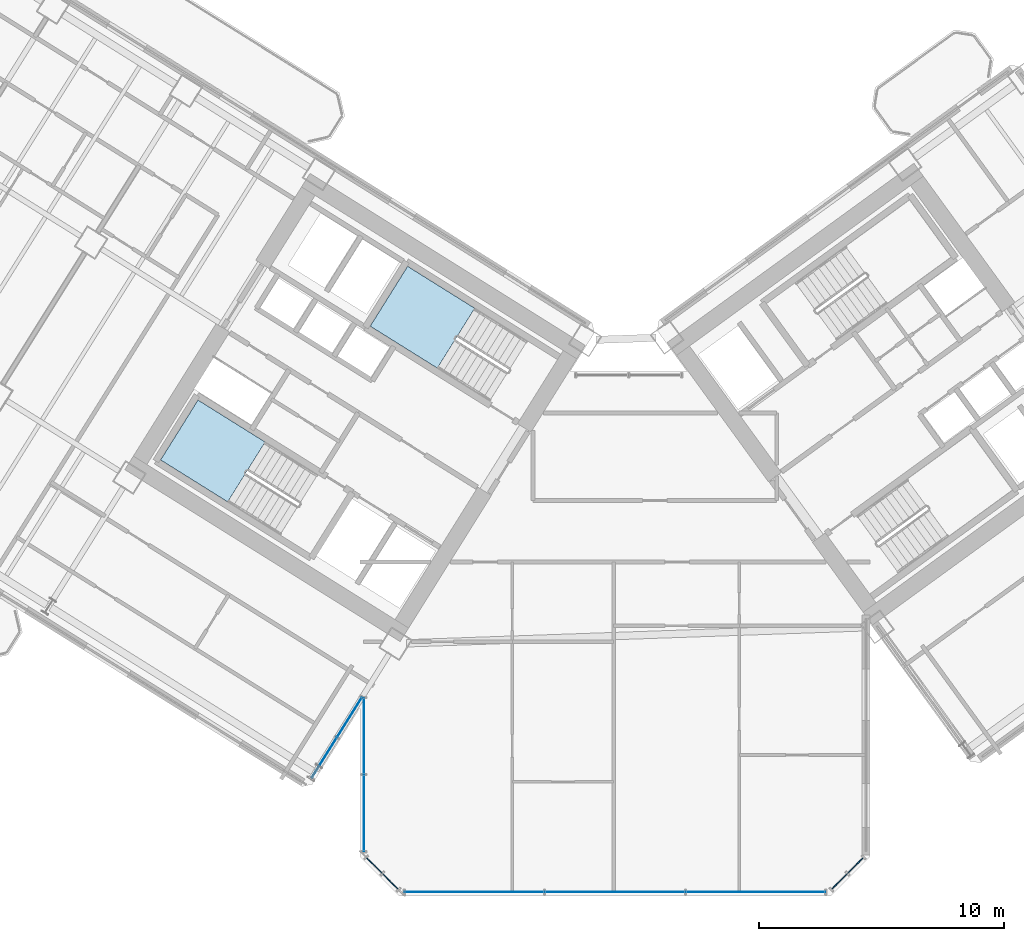
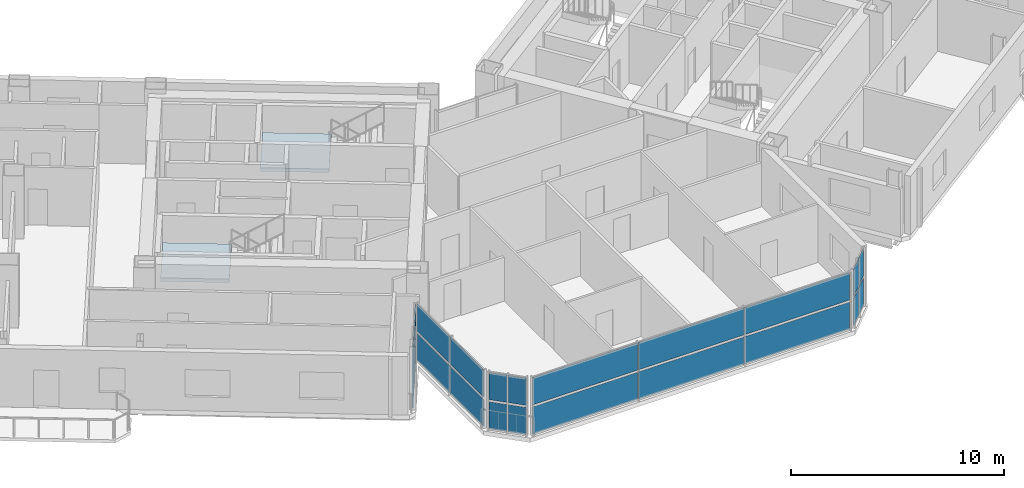
# One storey, part 13 of 28: 22 plates, 2 slabs, 7 elements without a shape of their own.
"""IFC4 building model written with IfcOpenShell, lengths in metres."""

from ifc_helpers import new_model, si_unit, direction, frame, origin, origin_2d, place, context, subcontext, project, spatial, polyline, rectangle, outline, extrude, source, transform, mapped, material, layer, layer_set, type_object, element, aggregate, save


model = new_model("IFC4")

# Units and contexts
model_context = context("Model", 3, precision=1e-05, world=origin(), true_north=direction((0.0, 1.0)))
body_context = subcontext(model_context, "Body", "Model", "MODEL_VIEW")
ifc_project = project(units=[si_unit("LENGTHUNIT", "METRE"), si_unit("AREAUNIT", "SQUARE_METRE"), si_unit("VOLUMEUNIT", "CUBIC_METRE"), si_unit("PLANEANGLEUNIT", "RADIAN"), si_unit("MASSUNIT", "GRAM", prefix="KILO")], contexts=[model_context])

# Site, building, storey
site_placement = place(None, origin())
site = spatial("IfcSite", under=ifc_project, at=site_placement, CompositionType="ELEMENT")
building_placement = place(site_placement, origin())
building = spatial("IfcBuilding", under=site, at=building_placement, Name="Tlacorven Tower", CompositionType="ELEMENT")
storey_placement = place(building_placement, frame((0.0, 0.0, 42.0)))
storey = spatial("IfcBuildingStorey", under=building, at=storey_placement, Name="L10", CompositionType="ELEMENT", Elevation=42.0)

# Stair, slab
ifc_material_1 = material(Name="Concrete C40/50", Category="concrete")
stair_type = type_object("IfcStairType", Name="ST-CORE-DLG", PredefinedType="HALF_TURN_STAIR", material=ifc_material_1)
stair_1_placement = place(storey_placement, origin())
stair_1 = element("IfcStair", 1, at=stair_1_placement, inside=storey, type_object=stair_type, Name="L10 Protected Exit Stair West 1", PredefinedType="HALF_TURN_STAIR")
ifc_layer_1 = layer(ifc_material_1, 0.199951171875)
ifc_layer_set_1 = layer_set([ifc_layer_1], Name="Concrete C40/50")
slab_type = type_object("IfcSlabType", Name="SL-LND-200", PredefinedType="LANDING", material=ifc_layer_set_1)
slab_1_placement = place(storey_placement, frame((0.0, 0.0, 1.60009765625)))
slab_1 = element("IfcSlab", 2, at=slab_1_placement, type_object=slab_type, Name="ST-W1 landing 1", PredefinedType="LANDING", context=body_context, shape_type="SweptSolid", body=[
    extrude(outline(polyline([(27.728515625, 20.315185546875), (24.9892578125, 22.02685546875), (23.463134765625, 19.58447265625), (26.2021484375, 17.872802734375), (27.728515625, 20.315185546875)])), origin(), (0.0, 0.0, 1.0), 0.199951171875),
])
aggregate(stair_1, [slab_1])

stair_2_placement = place(storey_placement, origin())
stair_2 = element("IfcStair", 3, at=stair_2_placement, inside=storey, type_object=stair_type, Name="L10 Protected Exit Stair West 2", PredefinedType="HALF_TURN_STAIR")
slab_2_placement = place(storey_placement, frame((0.0, 0.0, 1.60009765625)))
slab_2 = element("IfcSlab", 4, at=slab_2_placement, type_object=slab_type, Name="ST-W2 landing 1", PredefinedType="LANDING", context=body_context, shape_type="SweptSolid", body=[
    extrude(outline(polyline([(36.280029296875, 25.772705078125), (33.540771484375, 27.484375), (32.0146484375, 25.0419921875), (34.75390625, 23.33056640625), (36.280029296875, 25.772705078125)])), origin(), (0.0, 0.0, 1.0), 0.199951171875),
])
aggregate(stair_2, [slab_2])

# Curtain wall, plates
ifc_material_2 = material(Name="Dark solar low-E double glazing in aluminium frame", Category="aluminium")
curtain_wall_type = type_object("IfcCurtainWallType", Name="CW-TWR-LOW", PredefinedType="USERDEFINED", material=ifc_material_2)
curtain_wall_1_placement = place(storey_placement, origin())
curtain_wall_1 = element("IfcCurtainWall", 5, at=curtain_wall_1_placement, inside=storey, type_object=curtain_wall_type, Name="L10 CW-TWR-LOW Curtain Wall 51", ObjectType="UNITISED CURTAIN WALL", PredefinedType="USERDEFINED")
ifc_material_3 = material(Name="Dark solar double low-E glazing", Category="glass")
ifc_layer_2 = layer(ifc_material_3, 0.031982421875)
ifc_layer_set_2 = layer_set([ifc_layer_2], Name="Dark solar double low-E glazing")
plate_type = type_object("IfcPlateType", Name="CWP-02", PredefinedType="CURTAIN_PANEL", material=ifc_layer_set_2)
shared_shape_1 = source(origin(), body_context, "Body", "SweptSolid", [
    extrude(rectangle(XDim=0.878173828125, YDim=0.031982421875, at=origin_2d()), origin(), (0.0, 0.0, 1.0), 1.552978515625),
])
plate_1_placement = place(storey_placement, frame((51.815673828125, 3.0419921875, 0.06103515625), z_axis=(0.0, 0.0, 1.0), x_axis=(-0.707106781187, -0.707106781187, 0.0)))
plate_1 = element("IfcPlate", 6, at=plate_1_placement, type_object=plate_type, Name="CW-L10-051 Glazing Panel 1", PredefinedType="CURTAIN_PANEL", context=body_context, shape_type="MappedRepresentation", body=[
    mapped(shared_shape_1, transform((0.0, 0.0, 0.0), scale=1.0)),
])
plate_2_placement = place(storey_placement, frame((51.815673828125, 3.0419921875, 1.73583984375), z_axis=(0.0, 0.0, 1.0), x_axis=(-0.707106781187, -0.707106781187, 0.0)))
plate_2 = element("IfcPlate", 7, at=plate_2_placement, type_object=plate_type, Name="CW-L10-051 Glazing Panel 2", PredefinedType="CURTAIN_PANEL", context=body_context, shape_type="MappedRepresentation", body=[
    mapped(shared_shape_1, transform((0.0, 0.0, 0.0), scale=1.0)),
])
plate_3_placement = place(storey_placement, frame((51.157958984375, 2.38427734375, 0.06103515625), z_axis=(0.0, 0.0, 1.0), x_axis=(-0.707106781187, -0.707106781187, 0.0)))
plate_3 = element("IfcPlate", 8, at=plate_3_placement, type_object=plate_type, Name="CW-L10-051 Glazing Panel 3", PredefinedType="CURTAIN_PANEL", context=body_context, shape_type="MappedRepresentation", body=[
    mapped(shared_shape_1, transform((0.0, 0.0, 0.0), scale=1.0)),
])
plate_4_placement = place(storey_placement, frame((51.157958984375, 2.38427734375, 1.73583984375), z_axis=(0.0, 0.0, 1.0), x_axis=(-0.707106781187, -0.707106781187, 0.0)))
plate_4 = element("IfcPlate", 9, at=plate_4_placement, type_object=plate_type, Name="CW-L10-051 Glazing Panel 4", PredefinedType="CURTAIN_PANEL", context=body_context, shape_type="MappedRepresentation", body=[
    mapped(shared_shape_1, transform((0.0, 0.0, 0.0), scale=1.0)),
])
aggregate(curtain_wall_1, [plate_1, plate_2, plate_3, plate_4])

curtain_wall_2_placement = place(storey_placement, origin())
curtain_wall_2 = element("IfcCurtainWall", 10, at=curtain_wall_2_placement, inside=storey, type_object=curtain_wall_type, Name="L10 CW-TWR-LOW Curtain Wall 53", ObjectType="UNITISED CURTAIN WALL", PredefinedType="USERDEFINED")
plate_5_placement = place(storey_placement, frame((32.842041015625, 2.38427734375, 0.06103515625), z_axis=(0.0, 0.0, 1.0), x_axis=(-0.707106781187, 0.707106781187, 0.0)))
plate_5 = element("IfcPlate", 11, at=plate_5_placement, type_object=plate_type, Name="CW-L10-053 Glazing Panel 1", PredefinedType="CURTAIN_PANEL", context=body_context, shape_type="MappedRepresentation", body=[
    mapped(shared_shape_1, transform((0.0, 0.0, 0.0), scale=1.0)),
])
plate_6_placement = place(storey_placement, frame((32.842041015625, 2.38427734375, 1.73583984375), z_axis=(0.0, 0.0, 1.0), x_axis=(-0.707106781187, 0.707106781187, 0.0)))
plate_6 = element("IfcPlate", 12, at=plate_6_placement, type_object=plate_type, Name="CW-L10-053 Glazing Panel 2", PredefinedType="CURTAIN_PANEL", context=body_context, shape_type="MappedRepresentation", body=[
    mapped(shared_shape_1, transform((0.0, 0.0, 0.0), scale=1.0)),
])
plate_7_placement = place(storey_placement, frame((32.184326171875, 3.0419921875, 0.06103515625), z_axis=(0.0, 0.0, 1.0), x_axis=(-0.707106781187, 0.707106781187, 0.0)))
plate_7 = element("IfcPlate", 13, at=plate_7_placement, type_object=plate_type, Name="CW-L10-053 Glazing Panel 3", PredefinedType="CURTAIN_PANEL", context=body_context, shape_type="MappedRepresentation", body=[
    mapped(shared_shape_1, transform((0.0, 0.0, 0.0), scale=1.0)),
])
plate_8_placement = place(storey_placement, frame((32.184326171875, 3.0419921875, 1.73583984375), z_axis=(0.0, 0.0, 1.0), x_axis=(-0.707106781187, 0.707106781187, 0.0)))
plate_8 = element("IfcPlate", 14, at=plate_8_placement, type_object=plate_type, Name="CW-L10-053 Glazing Panel 4", PredefinedType="CURTAIN_PANEL", context=body_context, shape_type="MappedRepresentation", body=[
    mapped(shared_shape_1, transform((0.0, 0.0, 0.0), scale=1.0)),
])
aggregate(curtain_wall_2, [plate_5, plate_6, plate_7, plate_8])

curtain_wall_3_placement = place(storey_placement, origin())
curtain_wall_3 = element("IfcCurtainWall", 15, at=curtain_wall_3_placement, inside=storey, type_object=curtain_wall_type, Name="L10 CW-TWR-LOW Curtain Wall 52", ObjectType="UNITISED CURTAIN WALL", PredefinedType="USERDEFINED")
shared_shape_2 = source(origin(), body_context, "Body", "SweptSolid", [
    extrude(rectangle(XDim=5.668701171875, YDim=0.031982421875, at=origin_2d()), origin(), (0.0, 0.0, 1.0), 1.552978515625),
])
plate_9_placement = place(storey_placement, frame((47.73828125, 1.9599609375, 0.06103515625), z_axis=(0.0, 0.0, 1.0), x_axis=(-1.0, 0.0, 0.0)))
plate_9 = element("IfcPlate", 16, at=plate_9_placement, type_object=plate_type, Name="CW-L10-052 Glazing Panel 1", PredefinedType="CURTAIN_PANEL", context=body_context, shape_type="MappedRepresentation", body=[
    mapped(shared_shape_2, transform((0.0, 0.0, 0.0), scale=1.0)),
])
plate_10_placement = place(storey_placement, frame((47.73828125, 1.9599609375, 1.73583984375), z_axis=(0.0, 0.0, 1.0), x_axis=(-1.0, 0.0, 0.0)))
plate_10 = element("IfcPlate", 17, at=plate_10_placement, type_object=plate_type, Name="CW-L10-052 Glazing Panel 2", PredefinedType="CURTAIN_PANEL", context=body_context, shape_type="MappedRepresentation", body=[
    mapped(shared_shape_2, transform((0.0, 0.0, 0.0), scale=1.0)),
])
plate_11_placement = place(storey_placement, frame((36.26171875, 1.9599609375, 0.06103515625), z_axis=(0.0, 0.0, 1.0), x_axis=(-1.0, 0.0, 0.0)))
plate_11 = element("IfcPlate", 18, at=plate_11_placement, type_object=plate_type, Name="CW-L10-052 Glazing Panel 5", PredefinedType="CURTAIN_PANEL", context=body_context, shape_type="MappedRepresentation", body=[
    mapped(shared_shape_2, transform((0.0, 0.0, 0.0), scale=1.0)),
])
plate_12_placement = place(storey_placement, frame((36.26171875, 1.9599609375, 1.73583984375), z_axis=(0.0, 0.0, 1.0), x_axis=(-1.0, 0.0, 0.0)))
plate_12 = element("IfcPlate", 19, at=plate_12_placement, type_object=plate_type, Name="CW-L10-052 Glazing Panel 6", PredefinedType="CURTAIN_PANEL", context=body_context, shape_type="MappedRepresentation", body=[
    mapped(shared_shape_2, transform((0.0, 0.0, 0.0), scale=1.0)),
])
shared_shape_3 = source(origin(), body_context, "Body", "SweptSolid", [
    extrude(rectangle(XDim=5.703857421875, YDim=0.031982421875, at=origin_2d()), origin(), (0.0, 0.0, 1.0), 1.552978515625),
])
plate_13_placement = place(storey_placement, frame((42.0, 1.9599609375, 0.06103515625), z_axis=(0.0, 0.0, 1.0), x_axis=(-1.0, 0.0, 0.0)))
plate_13 = element("IfcPlate", 20, at=plate_13_placement, type_object=plate_type, Name="CW-L10-052 Glazing Panel 3", PredefinedType="CURTAIN_PANEL", context=body_context, shape_type="MappedRepresentation", body=[
    mapped(shared_shape_3, transform((0.0, 0.0, 0.0), scale=1.0)),
])
plate_14_placement = place(storey_placement, frame((42.0, 1.9599609375, 1.73583984375), z_axis=(0.0, 0.0, 1.0), x_axis=(-1.0, 0.0, 0.0)))
plate_14 = element("IfcPlate", 21, at=plate_14_placement, type_object=plate_type, Name="CW-L10-052 Glazing Panel 4", PredefinedType="CURTAIN_PANEL", context=body_context, shape_type="MappedRepresentation", body=[
    mapped(shared_shape_3, transform((0.0, 0.0, 0.0), scale=1.0)),
])
aggregate(curtain_wall_3, [plate_9, plate_10, plate_13, plate_14, plate_11, plate_12])

curtain_wall_4_placement = place(storey_placement, origin())
curtain_wall_4 = element("IfcCurtainWall", 22, at=curtain_wall_4_placement, inside=storey, type_object=curtain_wall_type, Name="L10 CW-TWR-LOW Curtain Wall 54", ObjectType="UNITISED CURTAIN WALL", PredefinedType="USERDEFINED")
shared_shape_4 = source(origin(), body_context, "Body", "SweptSolid", [
    extrude(rectangle(XDim=3.09423828125, YDim=0.031982421875, at=origin_2d()), origin(), (0.0, 0.0, 1.0), 1.552978515625),
])
plate_15_placement = place(storey_placement, frame((31.760009765625, 5.17431640625, 0.06103515625), z_axis=(0.0, 0.0, 1.0), x_axis=(0.0, 1.0, 0.0)))
plate_15 = element("IfcPlate", 23, at=plate_15_placement, type_object=plate_type, Name="CW-L10-054 Glazing Panel 1", PredefinedType="CURTAIN_PANEL", context=body_context, shape_type="MappedRepresentation", body=[
    mapped(shared_shape_4, transform((0.0, 0.0, 0.0), scale=1.0)),
])
plate_16_placement = place(storey_placement, frame((31.760009765625, 5.17431640625, 1.73583984375), z_axis=(0.0, 0.0, 1.0), x_axis=(0.0, 1.0, 0.0)))
plate_16 = element("IfcPlate", 24, at=plate_16_placement, type_object=plate_type, Name="CW-L10-054 Glazing Panel 2", PredefinedType="CURTAIN_PANEL", context=body_context, shape_type="MappedRepresentation", body=[
    mapped(shared_shape_4, transform((0.0, 0.0, 0.0), scale=1.0)),
])
plate_17_placement = place(storey_placement, frame((31.760009765625, 8.320556640625, 0.06103515625), z_axis=(0.0, 0.0, 1.0), x_axis=(0.0, 1.0, 0.0)))
plate_17 = element("IfcPlate", 25, at=plate_17_placement, type_object=plate_type, Name="CW-L10-054 Glazing Panel 3", PredefinedType="CURTAIN_PANEL", context=body_context, shape_type="MappedRepresentation", body=[
    mapped(shared_shape_4, transform((0.0, 0.0, 0.0), scale=1.0)),
])
plate_18_placement = place(storey_placement, frame((31.760009765625, 8.320556640625, 1.73583984375), z_axis=(0.0, 0.0, 1.0), x_axis=(0.0, 1.0, 0.0)))
plate_18 = element("IfcPlate", 26, at=plate_18_placement, type_object=plate_type, Name="CW-L10-054 Glazing Panel 4", PredefinedType="CURTAIN_PANEL", context=body_context, shape_type="MappedRepresentation", body=[
    mapped(shared_shape_4, transform((0.0, 0.0, 0.0), scale=1.0)),
])
aggregate(curtain_wall_4, [plate_15, plate_16, plate_17, plate_18])

curtain_wall_5_placement = place(storey_placement, origin())
curtain_wall_5 = element("IfcCurtainWall", 27, at=curtain_wall_5_placement, inside=storey, type_object=curtain_wall_type, Name="L10 CW-TWR-LOW Curtain Wall 55", ObjectType="UNITISED CURTAIN WALL", PredefinedType="USERDEFINED")
shared_shape_5 = source(origin(), body_context, "Body", "SweptSolid", [
    extrude(rectangle(XDim=1.896240234375, YDim=0.031982421875, at=origin_2d()), origin(), (0.0, 0.0, 1.0), 1.552978515625),
])
plate_19_placement = place(storey_placement, frame((31.172119140625, 9.087890625, 0.06103515625), z_axis=(0.0, 0.0, 1.0), x_axis=(-0.529918710919, -0.848048441905, 0.0)))
plate_19 = element("IfcPlate", 28, at=plate_19_placement, type_object=plate_type, Name="CW-L10-055 Glazing Panel 1", PredefinedType="CURTAIN_PANEL", context=body_context, shape_type="MappedRepresentation", body=[
    mapped(shared_shape_5, transform((0.0, 0.0, 0.0), scale=1.0)),
])
plate_20_placement = place(storey_placement, frame((31.172119140625, 9.087890625, 1.73583984375), z_axis=(0.0, 0.0, 1.0), x_axis=(-0.529918710919, -0.848048441905, 0.0)))
plate_20 = element("IfcPlate", 29, at=plate_20_placement, type_object=plate_type, Name="CW-L10-055 Glazing Panel 2", PredefinedType="CURTAIN_PANEL", context=body_context, shape_type="MappedRepresentation", body=[
    mapped(shared_shape_5, transform((0.0, 0.0, 0.0), scale=1.0)),
])
plate_21_placement = place(storey_placement, frame((30.1396484375, 7.435791015625, 0.06103515625), z_axis=(0.0, 0.0, 1.0), x_axis=(-0.529918710919, -0.848048441905, 0.0)))
plate_21 = element("IfcPlate", 30, at=plate_21_placement, type_object=plate_type, Name="CW-L10-055 Glazing Panel 3", PredefinedType="CURTAIN_PANEL", context=body_context, shape_type="MappedRepresentation", body=[
    mapped(shared_shape_5, transform((0.0, 0.0, 0.0), scale=1.0)),
])
plate_22_placement = place(storey_placement, frame((30.1396484375, 7.435791015625, 1.73583984375), z_axis=(0.0, 0.0, 1.0), x_axis=(-0.529918710919, -0.848048441905, 0.0)))
plate_22 = element("IfcPlate", 31, at=plate_22_placement, type_object=plate_type, Name="CW-L10-055 Glazing Panel 4", PredefinedType="CURTAIN_PANEL", context=body_context, shape_type="MappedRepresentation", body=[
    mapped(shared_shape_5, transform((0.0, 0.0, 0.0), scale=1.0)),
])
aggregate(curtain_wall_5, [plate_19, plate_20, plate_21, plate_22])

save(model, "model.ifc")
